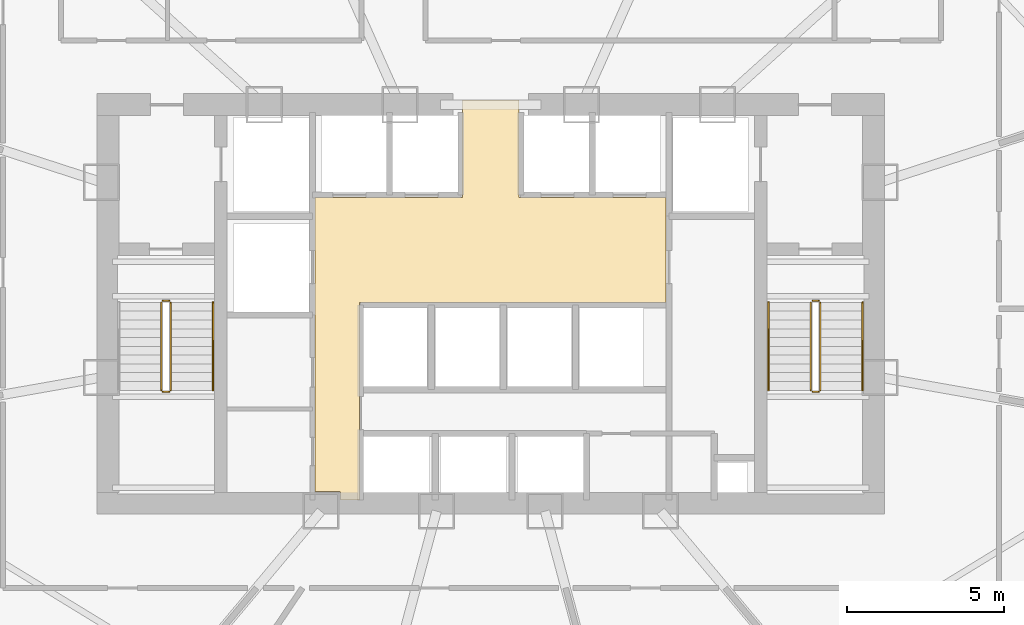
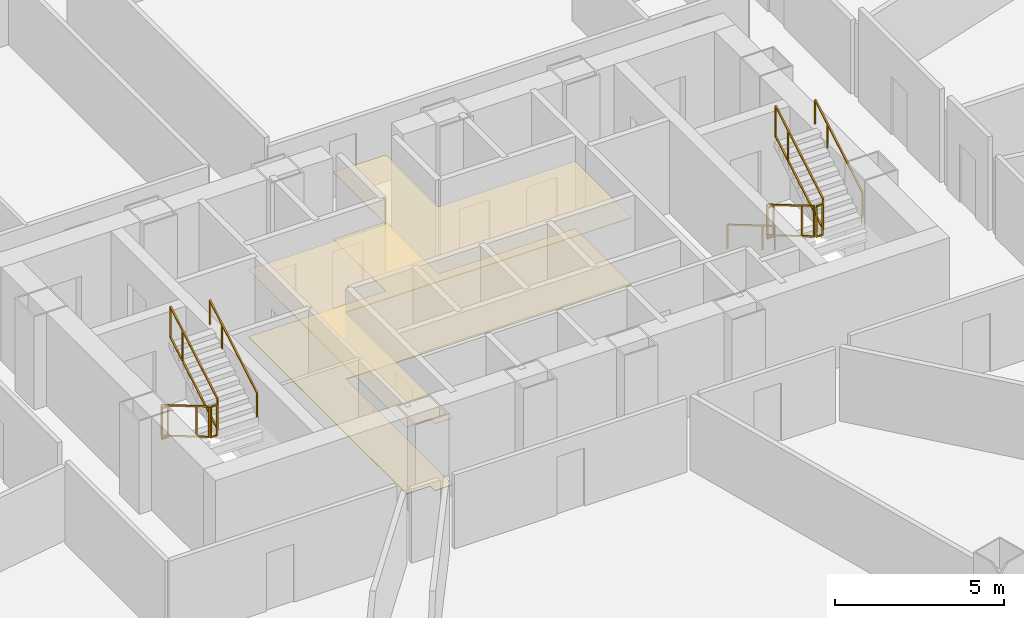
# One storey, part 40 of 42: 11 railings, 2 coverings.
"""IFC4 building model written with IfcOpenShell, lengths in metres."""

from ifc_helpers import new_model, si_unit, direction, frame, origin, origin_2d, place, context, subcontext, project, spatial, polyline, rectangle, outline, extrude, material, layer, layer_set, type_object, element, save


model = new_model("IFC4")

# Units and contexts
model_context = context("Model", 3, precision=1e-05, world=origin(), true_north=direction((0.0, 1.0)))
body_context = subcontext(model_context, "Body", "Model", "MODEL_VIEW")
ifc_project = project(units=[si_unit("LENGTHUNIT", "METRE"), si_unit("AREAUNIT", "SQUARE_METRE"), si_unit("VOLUMEUNIT", "CUBIC_METRE"), si_unit("PLANEANGLEUNIT", "RADIAN"), si_unit("MASSUNIT", "GRAM", prefix="KILO"), si_unit("THERMODYNAMICTEMPERATUREUNIT", "KELVIN"), si_unit("POWERUNIT", "WATT")], contexts=[model_context])

# Site, building, storey
site_placement = place(None, origin())
site = spatial("IfcSite", under=ifc_project, at=site_placement, CompositionType="ELEMENT")
building_placement = place(site_placement, origin())
building = spatial("IfcBuilding", under=site, at=building_placement, Name="Yunzhuo Pagoda Commons", CompositionType="ELEMENT")
storey_placement = place(building_placement, frame((0.0, 0.0, 41.2900390625)))
storey = spatial("IfcBuildingStorey", under=building, at=storey_placement, Name="L10", CompositionType="ELEMENT", Elevation=41.2900390625)

# Coverings
ifc_material_1 = material(Name="Mineral fibre acoustic ceiling board")
ifc_layer_1 = layer(ifc_material_1, 0.02490234375)
ifc_layer_set_1 = layer_set([ifc_layer_1], Name="Mineral fibre acoustic ceiling board")
covering_type_1 = type_object("IfcCoveringType", Name="COV-CL1 Ceiling 25", PredefinedType="CEILING", material=ifc_layer_set_1)
covering_1_placement = place(storey_placement, frame((0.0, 0.0, 2.419921875)))
element("IfcCovering", 1, at=covering_1_placement, inside=storey, type_object=covering_type_1, Name="L10 lift lobby acoustic ceiling", PredefinedType="CEILING", context=body_context, shape_type="SweptSolid", body=[
    extrude(outline(polyline([(43.207763671875, 27.85009765625), (43.201904296875, 27.864013671875), (43.187744140625, 27.8701171875), (42.39990234375, 27.8701171875), (42.39990234375, 33.89990234375), (42.39990234375, 37.25), (47.10009765625, 37.25), (47.10009765625, 40.35009765625), (48.89990234375, 40.35009765625), (48.89990234375, 37.25), (53.580078125, 37.25), (53.580078125, 33.89990234375), (43.820068359375, 33.89990234375), (43.820068359375, 27.60009765625), (43.207763671875, 27.60009765625), (43.207763671875, 27.85009765625)])), origin(), (0.0, 0.0, 1.0), 0.025146484375),
])
ifc_material_2 = material(Name="Porcelain ceramic floor tile")
ifc_layer_2 = layer(ifc_material_2, 0.02001953125)
ifc_layer_set_2 = layer_set([ifc_layer_2], Name="Porcelain ceramic floor tile")
covering_type_2 = type_object("IfcCoveringType", Name="COV-FL1 Flooring 20", PredefinedType="FLOORING", material=ifc_layer_set_2)
covering_2_placement = place(storey_placement, origin())
element("IfcCovering", 2, at=covering_2_placement, inside=storey, type_object=covering_type_2, Name="L10 lift lobby flooring", PredefinedType="FLOORING", context=body_context, shape_type="SweptSolid", body=[
    extrude(outline(polyline([(43.207763671875, 27.85009765625), (43.201904296875, 27.864013671875), (43.187744140625, 27.8701171875), (42.39990234375, 27.8701171875), (42.39990234375, 33.89990234375), (42.39990234375, 37.25), (47.10009765625, 37.25), (47.10009765625, 40.35009765625), (48.89990234375, 40.35009765625), (48.89990234375, 37.25), (53.580078125, 37.25), (53.580078125, 33.89990234375), (43.820068359375, 33.89990234375), (43.820068359375, 27.60009765625), (43.207763671875, 27.60009765625), (43.207763671875, 27.85009765625)])), origin(), (0.0, 0.0, 1.0), 0.02001953125),
])

# Railings
ifc_material_3 = material(Name="Anodized aluminium 6063-T6", Category="aluminium")
railing_type_1 = type_object("IfcRailingType", Name="GR-ST1 Stair Well Guardrail 1150", PredefinedType="GUARDRAIL", material=ifc_material_3)
railing_1_placement = place(storey_placement, frame((37.5, 33.89990234375, 0.1650390625)))
element("IfcRailing", 3, at=railing_1_placement, inside=storey, type_object=railing_type_1, Name="L10 ST1 stair guard 1", PredefinedType="GUARDRAIL", context=body_context, shape_type="SweptSolid", body=[
    extrude(rectangle(XDim=0.048095703125, YDim=0.048095703125, at=origin_2d()), frame((0.0, 0.0, 1.1259765625), z_axis=(0.0, -0.861536114422, 0.507696290658), x_axis=(1.0, 0.0, 0.0)), (0.0, 0.0, 1.0), 3.249755859375),
    extrude(rectangle(XDim=0.048095703125, YDim=0.048095703125, at=origin_2d()), frame((0.0, 0.0, 0.02392578125), z_axis=(0.0, -0.861536114422, 0.507696290658), x_axis=(1.0, 0.0, 0.0)), (0.0, 0.0, 1.0), 3.249755859375),
    extrude(rectangle(XDim=0.0419921875, YDim=0.0419921875, at=origin_2d()), origin(), (0.0, 0.0, 1.0), 1.101806640625),
    extrude(rectangle(XDim=0.0419921875, YDim=0.0419921875, at=origin_2d()), frame((0.0, -2.067626953125, 1.218505859375)), (0.0, 0.0, 1.0), 1.101806640625),
    extrude(rectangle(XDim=0.0419921875, YDim=0.0419921875, at=origin_2d()), frame((0.0, -2.7998046875, 1.64990234375)), (0.0, 0.0, 1.0), 1.101806640625),
])
railing_2_placement = place(storey_placement, frame((37.550048828125, 31.050048828125, 1.81494140625)))
element("IfcRailing", 4, at=railing_2_placement, inside=storey, type_object=railing_type_1, Name="L10 ST1 stair guard 2", PredefinedType="GUARDRAIL", context=body_context, shape_type="SweptSolid", body=[
    extrude(rectangle(XDim=0.048095703125, YDim=0.048095703125, at=origin_2d()), frame((0.0, 0.0, 1.1259765625), z_axis=(1.0, 0.0, 0.0), x_axis=(0.0, 1.0, 0.0)), (0.0, 0.0, 1.0), 0.199951171875),
    extrude(rectangle(XDim=0.048095703125, YDim=0.048095703125, at=origin_2d()), frame((0.0, 0.0, 0.02392578125), z_axis=(1.0, 0.0, 0.0), x_axis=(0.0, 1.0, 0.0)), (0.0, 0.0, 1.0), 0.199951171875),
    extrude(rectangle(XDim=0.0419921875, YDim=0.0419921875, at=origin_2d()), origin(), (0.0, 0.0, 1.0), 1.101806640625),
    extrude(rectangle(XDim=0.0419921875, YDim=0.0419921875, at=origin_2d()), frame((0.199951171875, 0.0, 0.0)), (0.0, 0.0, 1.0), 1.101806640625),
])
railing_3_placement = place(storey_placement, frame((37.800048828125, 31.10009765625, 1.97998046875)))
element("IfcRailing", 5, at=railing_3_placement, inside=storey, type_object=railing_type_1, Name="L10 ST1 stair guard 3", PredefinedType="GUARDRAIL", context=body_context, shape_type="SweptSolid", body=[
    extrude(rectangle(XDim=0.048095703125, YDim=0.048095703125, at=origin_2d()), frame((0.0, 0.0, 1.1259765625), z_axis=(0.0, 0.861536114422, 0.507696290658), x_axis=(-1.0, 0.0, 0.0)), (0.0, 0.0, 1.0), 3.249755859375),
    extrude(rectangle(XDim=0.048095703125, YDim=0.048095703125, at=origin_2d()), frame((0.0, 0.0, 0.02392578125), z_axis=(0.0, 0.861536114422, 0.507696290658), x_axis=(-1.0, 0.0, 0.0)), (0.0, 0.0, 1.0), 3.249755859375),
    extrude(rectangle(XDim=0.0419921875, YDim=0.0419921875, at=origin_2d()), origin(), (0.0, 0.0, 1.0), 1.101806640625),
    extrude(rectangle(XDim=0.0419921875, YDim=0.0419921875, at=origin_2d()), frame((0.0, 2.067626953125, 1.218505859375)), (0.0, 0.0, 1.0), 1.101806640625),
    extrude(rectangle(XDim=0.0419921875, YDim=0.0419921875, at=origin_2d()), frame((0.0, 2.7998046875, 1.64990234375)), (0.0, 0.0, 1.0), 1.101806640625),
])
railing_4_placement = place(storey_placement, frame((37.550048828125, 33.949951171875, 0.0)))
element("IfcRailing", 6, at=railing_4_placement, inside=storey, type_object=railing_type_1, Name="L10 ST1 stair guard 4", PredefinedType="GUARDRAIL", context=body_context, shape_type="SweptSolid", body=[
    extrude(rectangle(XDim=0.048095703125, YDim=0.048095703125, at=origin_2d()), frame((0.0, 0.0, 1.1259765625), z_axis=(1.0, 0.0, 0.0), x_axis=(0.0, 1.0, 0.0)), (0.0, 0.0, 1.0), 0.199951171875),
    extrude(rectangle(XDim=0.048095703125, YDim=0.048095703125, at=origin_2d()), frame((0.0, 0.0, 0.02392578125), z_axis=(1.0, 0.0, 0.0), x_axis=(0.0, 1.0, 0.0)), (0.0, 0.0, 1.0), 0.199951171875),
    extrude(rectangle(XDim=0.0419921875, YDim=0.0419921875, at=origin_2d()), origin(), (0.0, 0.0, 1.0), 1.101806640625),
    extrude(rectangle(XDim=0.0419921875, YDim=0.0419921875, at=origin_2d()), frame((0.199951171875, 0.0, 0.0)), (0.0, 0.0, 1.0), 1.101806640625),
])
railing_type_2 = type_object("IfcRailingType", Name="GR-ST2 Stair Well Guardrail 1160", PredefinedType="GUARDRAIL", material=ifc_material_3)
railing_5_placement = place(storey_placement, frame((58.199951171875, 33.89990234375, 0.1650390625)))
element("IfcRailing", 7, at=railing_5_placement, inside=storey, type_object=railing_type_2, Name="L10 ST2 stair guard 1", PredefinedType="GUARDRAIL", context=body_context, shape_type="SweptSolid", body=[
    extrude(rectangle(XDim=0.048095703125, YDim=0.048095703125, at=origin_2d()), frame((0.0, 0.0, 1.1259765625), z_axis=(0.0, -0.861536114422, 0.507696290658), x_axis=(1.0, 0.0, 0.0)), (0.0, 0.0, 1.0), 3.249755859375),
    extrude(rectangle(XDim=0.048095703125, YDim=0.048095703125, at=origin_2d()), frame((0.0, 0.0, 0.02392578125), z_axis=(0.0, -0.861536114422, 0.507696290658), x_axis=(1.0, 0.0, 0.0)), (0.0, 0.0, 1.0), 3.249755859375),
    extrude(rectangle(XDim=0.0419921875, YDim=0.0419921875, at=origin_2d()), origin(), (0.0, 0.0, 1.0), 1.101806640625),
    extrude(rectangle(XDim=0.0419921875, YDim=0.0419921875, at=origin_2d()), frame((0.0, -2.067626953125, 1.218505859375)), (0.0, 0.0, 1.0), 1.101806640625),
    extrude(rectangle(XDim=0.0419921875, YDim=0.0419921875, at=origin_2d()), frame((0.0, -2.7998046875, 1.64990234375)), (0.0, 0.0, 1.0), 1.101806640625),
])
railing_6_placement = place(storey_placement, frame((58.25, 31.050048828125, 1.81494140625)))
element("IfcRailing", 8, at=railing_6_placement, inside=storey, type_object=railing_type_2, Name="L10 ST2 stair guard 2", PredefinedType="GUARDRAIL", context=body_context, shape_type="SweptSolid", body=[
    extrude(rectangle(XDim=0.048095703125, YDim=0.048095703125, at=origin_2d()), frame((0.0, 0.0, 1.1259765625), z_axis=(1.0, 0.0, 0.0), x_axis=(0.0, 1.0, 0.0)), (0.0, 0.0, 1.0), 0.199951171875),
    extrude(rectangle(XDim=0.048095703125, YDim=0.048095703125, at=origin_2d()), frame((0.0, 0.0, 0.02392578125), z_axis=(1.0, 0.0, 0.0), x_axis=(0.0, 1.0, 0.0)), (0.0, 0.0, 1.0), 0.199951171875),
    extrude(rectangle(XDim=0.0419921875, YDim=0.0419921875, at=origin_2d()), origin(), (0.0, 0.0, 1.0), 1.101806640625),
    extrude(rectangle(XDim=0.0419921875, YDim=0.0419921875, at=origin_2d()), frame((0.199951171875, 0.0, 0.0)), (0.0, 0.0, 1.0), 1.101806640625),
])
railing_7_placement = place(storey_placement, frame((58.5, 31.10009765625, 1.97998046875)))
element("IfcRailing", 9, at=railing_7_placement, inside=storey, type_object=railing_type_2, Name="L10 ST2 stair guard 3", PredefinedType="GUARDRAIL", context=body_context, shape_type="SweptSolid", body=[
    extrude(rectangle(XDim=0.048095703125, YDim=0.048095703125, at=origin_2d()), frame((0.0, 0.0, 1.1259765625), z_axis=(0.0, 0.861536114422, 0.507696290658), x_axis=(-1.0, 0.0, 0.0)), (0.0, 0.0, 1.0), 3.249755859375),
    extrude(rectangle(XDim=0.048095703125, YDim=0.048095703125, at=origin_2d()), frame((0.0, 0.0, 0.02392578125), z_axis=(0.0, 0.861536114422, 0.507696290658), x_axis=(-1.0, 0.0, 0.0)), (0.0, 0.0, 1.0), 3.249755859375),
    extrude(rectangle(XDim=0.0419921875, YDim=0.0419921875, at=origin_2d()), origin(), (0.0, 0.0, 1.0), 1.101806640625),
    extrude(rectangle(XDim=0.0419921875, YDim=0.0419921875, at=origin_2d()), frame((0.0, 2.067626953125, 1.218505859375)), (0.0, 0.0, 1.0), 1.101806640625),
    extrude(rectangle(XDim=0.0419921875, YDim=0.0419921875, at=origin_2d()), frame((0.0, 2.7998046875, 1.64990234375)), (0.0, 0.0, 1.0), 1.101806640625),
])
railing_8_placement = place(storey_placement, frame((58.25, 33.949951171875, 0.0)))
element("IfcRailing", 10, at=railing_8_placement, inside=storey, type_object=railing_type_2, Name="L10 ST2 stair guard 4", PredefinedType="GUARDRAIL", context=body_context, shape_type="SweptSolid", body=[
    extrude(rectangle(XDim=0.048095703125, YDim=0.048095703125, at=origin_2d()), frame((0.0, 0.0, 1.1259765625), z_axis=(1.0, 0.0, 0.0), x_axis=(0.0, 1.0, 0.0)), (0.0, 0.0, 1.0), 0.199951171875),
    extrude(rectangle(XDim=0.048095703125, YDim=0.048095703125, at=origin_2d()), frame((0.0, 0.0, 0.02392578125), z_axis=(1.0, 0.0, 0.0), x_axis=(0.0, 1.0, 0.0)), (0.0, 0.0, 1.0), 0.199951171875),
    extrude(rectangle(XDim=0.0419921875, YDim=0.0419921875, at=origin_2d()), origin(), (0.0, 0.0, 1.0), 1.101806640625),
    extrude(rectangle(XDim=0.0419921875, YDim=0.0419921875, at=origin_2d()), frame((0.199951171875, 0.0, 0.0)), (0.0, 0.0, 1.0), 1.101806640625),
])
railing_type_3 = type_object("IfcRailingType", Name="HR-ST1 Stair Handrail 900", PredefinedType="HANDRAIL", material=ifc_material_3)
railing_9_placement = place(storey_placement, frame((39.14990234375, 31.10009765625, 1.97998046875)))
element("IfcRailing", 11, at=railing_9_placement, inside=storey, type_object=railing_type_3, Name="L10 ST1 stair handrail 2", PredefinedType="HANDRAIL", context=body_context, shape_type="SweptSolid", body=[
    extrude(rectangle(XDim=0.048095703125, YDim=0.048095703125, at=origin_2d()), frame((0.0, 0.0, 0.8759765625), z_axis=(0.0, 0.861536114422, 0.507696290658), x_axis=(-1.0, 0.0, 0.0)), (0.0, 0.0, 1.0), 3.249755859375),
    extrude(rectangle(XDim=0.0419921875, YDim=0.0419921875, at=origin_2d()), origin(), (0.0, 0.0, 1.0), 0.851806640625),
    extrude(rectangle(XDim=0.0419921875, YDim=0.0419921875, at=origin_2d()), frame((0.0, 2.067626953125, 1.218505859375)), (0.0, 0.0, 1.0), 0.851806640625),
    extrude(rectangle(XDim=0.0419921875, YDim=0.0419921875, at=origin_2d()), frame((0.0, 2.7998046875, 1.64990234375)), (0.0, 0.0, 1.0), 0.851806640625),
])
railing_type_4 = type_object("IfcRailingType", Name="HR-ST2 Stair Handrail 900", PredefinedType="HANDRAIL", material=ifc_material_3)
railing_10_placement = place(storey_placement, frame((56.85009765625, 33.89990234375, 0.1650390625)))
element("IfcRailing", 12, at=railing_10_placement, inside=storey, type_object=railing_type_4, Name="L10 ST2 stair handrail 1", PredefinedType="HANDRAIL", context=body_context, shape_type="SweptSolid", body=[
    extrude(rectangle(XDim=0.048095703125, YDim=0.048095703125, at=origin_2d()), frame((0.0, 0.0, 0.8759765625), z_axis=(0.0, -0.861536114422, 0.507696290658), x_axis=(1.0, 0.0, 0.0)), (0.0, 0.0, 1.0), 3.249755859375),
    extrude(rectangle(XDim=0.0419921875, YDim=0.0419921875, at=origin_2d()), origin(), (0.0, 0.0, 1.0), 0.851806640625),
    extrude(rectangle(XDim=0.0419921875, YDim=0.0419921875, at=origin_2d()), frame((0.0, -2.067626953125, 1.218505859375)), (0.0, 0.0, 1.0), 0.851806640625),
    extrude(rectangle(XDim=0.0419921875, YDim=0.0419921875, at=origin_2d()), frame((0.0, -2.7998046875, 1.64990234375)), (0.0, 0.0, 1.0), 0.851806640625),
])
railing_11_placement = place(storey_placement, frame((59.85009765625, 31.10009765625, 1.97998046875)))
element("IfcRailing", 13, at=railing_11_placement, inside=storey, type_object=railing_type_4, Name="L10 ST2 stair handrail 2", PredefinedType="HANDRAIL", context=body_context, shape_type="SweptSolid", body=[
    extrude(rectangle(XDim=0.048095703125, YDim=0.048095703125, at=origin_2d()), frame((0.0, 0.0, 0.8759765625), z_axis=(0.0, 0.861536114422, 0.507696290658), x_axis=(-1.0, 0.0, 0.0)), (0.0, 0.0, 1.0), 3.249755859375),
    extrude(rectangle(XDim=0.0419921875, YDim=0.0419921875, at=origin_2d()), origin(), (0.0, 0.0, 1.0), 0.851806640625),
    extrude(rectangle(XDim=0.0419921875, YDim=0.0419921875, at=origin_2d()), frame((0.0, 2.067626953125, 1.218505859375)), (0.0, 0.0, 1.0), 0.851806640625),
    extrude(rectangle(XDim=0.0419921875, YDim=0.0419921875, at=origin_2d()), frame((0.0, 2.7998046875, 1.64990234375)), (0.0, 0.0, 1.0), 0.851806640625),
])

save(model, "model.ifc")
